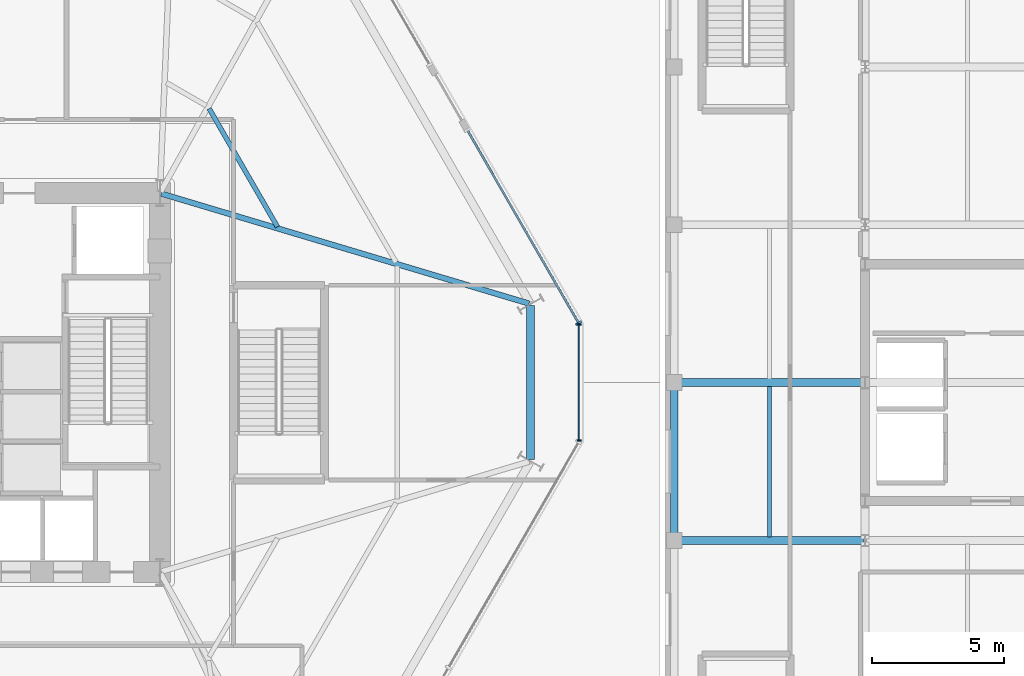
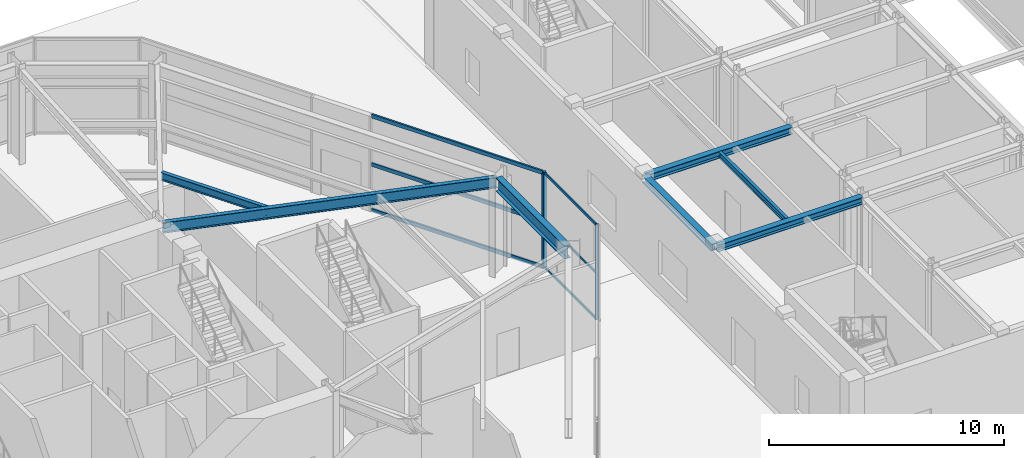
# One storey, part 10 of 26: 9 members, 7 beams, 2 elements without a shape of their own.
"""IFC4 building model written with IfcOpenShell, lengths in metres."""

from ifc_helpers import new_model, si_unit, direction, frame, origin, origin_2d, place, context, subcontext, project, spatial, rectangle, i_section, extrude, material, layer, layer_set, material_profile, profile_set, type_object, element, aggregate, save


model = new_model("IFC4")

# Units and contexts
model_context = context("Model", 3, precision=1e-05, world=origin(), true_north=direction((0.0, 1.0)))
body_context = subcontext(model_context, "Body", "Model", "MODEL_VIEW")
ifc_project = project(units=[si_unit("LENGTHUNIT", "METRE"), si_unit("AREAUNIT", "SQUARE_METRE"), si_unit("VOLUMEUNIT", "CUBIC_METRE"), si_unit("PLANEANGLEUNIT", "RADIAN"), si_unit("MASSUNIT", "GRAM", prefix="KILO")], contexts=[model_context])

# Site, building, storey
site_placement = place(None, origin())
site = spatial("IfcSite", under=ifc_project, at=site_placement, CompositionType="ELEMENT")
building_placement = place(site_placement, origin())
building = spatial("IfcBuilding", under=site, at=building_placement, Name="Kranzbogen Civic Tower", CompositionType="ELEMENT")
storey_placement = place(building_placement, origin())
storey = spatial("IfcBuildingStorey", under=building, at=storey_placement, Name="L00", CompositionType="ELEMENT", Elevation=0.0)

# Curtain wall, members
ifc_material_1 = material(Name="Pale Anodised Aluminium", Category="aluminium")
ifc_layer_1 = layer(ifc_material_1, 0.219970703125, Name="Pale Anodised Aluminium")
ifc_layer_set_1 = layer_set([ifc_layer_1], Name="Pale Anodised Aluminium")
curtain_wall_type_1 = type_object("IfcCurtainWallType", Name="Chamfer Facet Stick Curtain Wall System CW-06", PredefinedType="USERDEFINED", material=ifc_layer_set_1)
curtain_wall_1_placement = place(storey_placement, origin())
curtain_wall_1 = element("IfcCurtainWall", 1, at=curtain_wall_1_placement, inside=storey, type_object=curtain_wall_type_1, Name="L00 curtain wall CW-L00-C6", ObjectType="STICK CURTAIN WALL", PredefinedType="USERDEFINED")
ifc_material_profile_1 = material_profile(ifc_material_1, rectangle(XDim=0.06005859375, YDim=0.159912109375, at=origin_2d()), Name="ALU-M 60x160")
ifc_profile_set_1 = profile_set([ifc_material_profile_1], Name="Pale Anodised Aluminium")
member_type_1 = type_object("IfcMemberType", Name="Curtain Wall Mullion ALU-M 60x160", PredefinedType="MULLION", material=ifc_profile_set_1)
member_1_placement = place(storey_placement, frame((48.73388671875, 22.79296875, 0.0), z_axis=(0.0, 0.0, 1.0), x_axis=(0.0, 1.0, 0.0)))
member_1 = element("IfcMember", 2, at=member_1_placement, type_object=member_type_1, Name="CW-06 mullion 1", PredefinedType="MULLION", context=body_context, shape_type="SweptSolid", body=[
    extrude(rectangle(XDim=0.06005859375, YDim=0.159912109375, at=origin_2d()), origin(), (0.0, 0.0, 1.0), 4.93994140625),
])
member_2_placement = place(storey_placement, frame((48.73388671875, 27.20703125, 0.0), z_axis=(0.0, 0.0, 1.0), x_axis=(0.0, 1.0, 0.0)))
member_2 = element("IfcMember", 3, at=member_2_placement, type_object=member_type_1, Name="CW-06 mullion 2", PredefinedType="MULLION", context=body_context, shape_type="SweptSolid", body=[
    extrude(rectangle(XDim=0.06005859375, YDim=0.159912109375, at=origin_2d()), origin(), (0.0, 0.0, 1.0), 4.93994140625),
])

# Curtain wall, member
ifc_layer_2 = layer(ifc_material_1, 0.219970703125, Name="Pale Anodised Aluminium")
ifc_layer_set_2 = layer_set([ifc_layer_2], Name="Pale Anodised Aluminium")
curtain_wall_type_2 = type_object("IfcCurtainWallType", Name="Podium Stick Curtain Wall System CW-01", PredefinedType="USERDEFINED", material=ifc_layer_set_2)
curtain_wall_2_placement = place(storey_placement, origin())
curtain_wall_2 = element("IfcCurtainWall", 4, at=curtain_wall_2_placement, inside=storey, type_object=curtain_wall_type_2, Name="L00 curtain wall CW-L00-F1-S1", ObjectType="STICK CURTAIN WALL", PredefinedType="USERDEFINED")
ifc_material_profile_2 = material_profile(ifc_material_1, rectangle(XDim=0.0849609375, YDim=0.260009765625, at=origin_2d()), Name="ALU-M 85x260")
ifc_profile_set_2 = profile_set([ifc_material_profile_2], Name="Pale Anodised Aluminium")
member_type_2 = type_object("IfcMemberType", Name="Curtain Wall Mullion ALU-M 85x260", PredefinedType="MULLION", material=ifc_profile_set_2)
member_3_placement = place(storey_placement, frame((48.718994140625, 27.262939453125, 0.0), z_axis=(0.0, 0.0, 1.0), x_axis=(-0.500009985053, 0.866019638835, 0.0)))
member_3 = element("IfcMember", 5, at=member_3_placement, type_object=member_type_2, Name="CW-01 mullion 1", PredefinedType="MULLION", context=body_context, shape_type="SweptSolid", body=[
    extrude(rectangle(XDim=0.0849609375, YDim=0.260009765625, at=origin_2d()), origin(), (0.0, 0.0, 1.0), 4.93994140625),
])

# Member
ifc_material_profile_3 = material_profile(ifc_material_1, rectangle(XDim=0.06005859375, YDim=0.1201171875, at=origin_2d()), Name="ALU-T 60x120")
ifc_profile_set_3 = profile_set([ifc_material_profile_3], Name="Pale Anodised Aluminium")
member_type_3 = type_object("IfcMemberType", Name="Curtain Wall Transom ALU-T 60x120", PredefinedType="USERDEFINED", material=ifc_profile_set_3)
member_4_placement = place(storey_placement, frame((48.73388671875, 22.822998046875, 0.030029296875), z_axis=(0.0, 1.0, 0.0), x_axis=(-1.0, 0.0, 0.0)))
member_4 = element("IfcMember", 6, at=member_4_placement, type_object=member_type_3, Name="CW-06 transom 1.1", ObjectType="TRANSOM", PredefinedType="USERDEFINED", context=body_context, shape_type="SweptSolid", body=[
    extrude(rectangle(XDim=0.06005859375, YDim=0.1201171875, at=origin_2d()), origin(), (0.0, 0.0, 1.0), 4.35400390625),
])

member_5_placement = place(storey_placement, frame((48.73388671875, 22.822998046875, 2.39990234375), z_axis=(0.0, 1.0, 0.0), x_axis=(-1.0, 0.0, 0.0)))
member_5 = element("IfcMember", 7, at=member_5_placement, type_object=member_type_3, Name="CW-06 transom 1.2", ObjectType="TRANSOM", PredefinedType="USERDEFINED", context=body_context, shape_type="SweptSolid", body=[
    extrude(rectangle(XDim=0.06005859375, YDim=0.1201171875, at=origin_2d()), origin(), (0.0, 0.0, 1.0), 4.35400390625),
])

member_6_placement = place(storey_placement, frame((48.73388671875, 22.822998046875, 4.909912109375), z_axis=(0.0, 1.0, 0.0), x_axis=(-1.0, 0.0, 0.0)))
member_6 = element("IfcMember", 8, at=member_6_placement, type_object=member_type_3, Name="CW-06 transom 1.3", ObjectType="TRANSOM", PredefinedType="USERDEFINED", context=body_context, shape_type="SweptSolid", body=[
    extrude(rectangle(XDim=0.06005859375, YDim=0.1201171875, at=origin_2d()), origin(), (0.0, 0.0, 1.0), 4.35400390625),
])

aggregate(curtain_wall_1, [member_1, member_2, member_4, member_5, member_6])

ifc_material_profile_4 = material_profile(ifc_material_1, rectangle(XDim=0.0849609375, YDim=0.195068359375, at=origin_2d()), Name="ALU-T 85x195")
ifc_profile_set_4 = profile_set([ifc_material_profile_4], Name="Pale Anodised Aluminium")
member_type_4 = type_object("IfcMemberType", Name="Curtain Wall Transom ALU-T 85x195", PredefinedType="USERDEFINED", material=ifc_profile_set_4)
member_7_placement = place(storey_placement, frame((48.7041015625, 27.2890625, 0.030029296875), z_axis=(-0.500023168854, 0.866012026827, 0.0), x_axis=(-0.866012026827, -0.500023168854, 0.0)))
member_7 = element("IfcMember", 9, at=member_7_placement, type_object=member_type_4, Name="CW-01 transom 1.1", ObjectType="TRANSOM", PredefinedType="USERDEFINED", context=body_context, shape_type="SweptSolid", body=[
    extrude(rectangle(XDim=0.0849609375, YDim=0.195068359375, at=origin_2d()), origin(), (0.0, 0.0, 1.0), 8.40966796875),
])

member_8_placement = place(storey_placement, frame((48.7041015625, 27.2890625, 2.39990234375), z_axis=(-0.500023168854, 0.866012026827, 0.0), x_axis=(-0.866012026827, -0.500023168854, 0.0)))
member_8 = element("IfcMember", 10, at=member_8_placement, type_object=member_type_4, Name="CW-01 transom 1.2", ObjectType="TRANSOM", PredefinedType="USERDEFINED", context=body_context, shape_type="SweptSolid", body=[
    extrude(rectangle(XDim=0.0849609375, YDim=0.195068359375, at=origin_2d()), origin(), (0.0, 0.0, 1.0), 8.40966796875),
])

member_9_placement = place(storey_placement, frame((48.7041015625, 27.2890625, 4.909912109375), z_axis=(-0.500023168854, 0.866012026827, 0.0), x_axis=(-0.866012026827, -0.500023168854, 0.0)))
member_9 = element("IfcMember", 11, at=member_9_placement, type_object=member_type_4, Name="CW-01 transom 1.3", ObjectType="TRANSOM", PredefinedType="USERDEFINED", context=body_context, shape_type="SweptSolid", body=[
    extrude(rectangle(XDim=0.0849609375, YDim=0.195068359375, at=origin_2d()), origin(), (0.0, 0.0, 1.0), 8.40966796875),
])

aggregate(curtain_wall_2, [member_3, member_7, member_8, member_9])

# Beams
ifc_material_2 = material(Name="Steel S355", Category="steel")
ifc_material_profile_5 = material_profile(ifc_material_2, i_section(OverallWidth=0.300048828125, OverallDepth=0.360107421875, WebThickness=0.012451171875, FlangeThickness=0.0224609375, at=origin_2d()), Name="HEB 360")
ifc_profile_set_5 = profile_set([ifc_material_profile_5], Name="Steel S355")
beam_type_1 = type_object("IfcBeamType", Name="Health Centre Primary Floor Beam HEB 360", PredefinedType="BEAM", material=ifc_profile_set_5)
for number, where, z_axis, x_axis, name in (
    (12, (52.409912109375, 19.0, 4.760009765625), (1.0, 0.0, 0.0), (0.0, 1.0, 0.0), "L00 Health Centre X girder 1-3"),
    (13, (52.409912109375, 25.0, 4.760009765625), (1.0, 0.0, 0.0), (0.0, 1.0, 0.0), "L00 Health Centre X girder 1-4"),
):
    element("IfcBeam", number, at=place(storey_placement, frame(where, z_axis=z_axis, x_axis=x_axis)), inside=storey, type_object=beam_type_1, Name=name, PredefinedType="BEAM", context=body_context, shape_type="SweptSolid", body=[
        extrude(i_section(OverallWidth=0.300048828125, OverallDepth=0.360107421875, WebThickness=0.012451171875, FlangeThickness=0.0224609375, at=origin_2d()), origin(), (0.0, 0.0, 1.0), 7.130126953125),
    ])
beam_1_placement = place(storey_placement, frame((52.35009765625, 19.06005859375, 4.760009765625), z_axis=(0.0, 1.0, 0.0), x_axis=(-1.0, 0.0, 0.0)))
element("IfcBeam", 14, at=beam_1_placement, inside=storey, type_object=beam_type_1, Name="L00 Health Centre Y girder 1-3", PredefinedType="BEAM", context=body_context, shape_type="SweptSolid", body=[
    extrude(i_section(OverallWidth=0.300048828125, OverallDepth=0.360107421875, WebThickness=0.012451171875, FlangeThickness=0.0224609375, at=origin_2d()), origin(), (0.0, 0.0, 1.0), 5.8798828125),
])
ifc_material_profile_6 = material_profile(ifc_material_2, i_section(OverallWidth=0.14990234375, OverallDepth=0.300048828125, WebThickness=0.007080078125, FlangeThickness=0.0107421875, at=origin_2d()), Name="IPE 300")
ifc_profile_set_6 = profile_set([ifc_material_profile_6], Name="Steel S355")
beam_type_2 = type_object("IfcBeamType", Name="Health Centre Secondary Joist IPE 300", PredefinedType="JOIST", material=ifc_profile_set_6)
beam_2_placement = place(storey_placement, frame((55.97509765625, 19.139892578125, 4.7900390625), z_axis=(0.0, 1.0, 0.0), x_axis=(-1.0, 0.0, 0.0)))
element("IfcBeam", 15, at=beam_2_placement, inside=storey, type_object=beam_type_2, Name="L00 Health Centre secondary joist 1-3", PredefinedType="JOIST", context=body_context, shape_type="SweptSolid", body=[
    extrude(i_section(OverallWidth=0.14990234375, OverallDepth=0.300048828125, WebThickness=0.007080078125, FlangeThickness=0.0107421875, at=origin_2d()), origin(), (0.0, 0.0, 1.0), 5.72021484375),
])
ifc_material_profile_7 = material_profile(ifc_material_2, i_section(OverallWidth=0.300048828125, OverallDepth=0.699951171875, WebThickness=0.01708984375, FlangeThickness=0.031982421875, at=origin_2d()), Name="HEB 700")
ifc_profile_set_7 = profile_set([ifc_material_profile_7], Name="Steel S355")
beam_type_3 = type_object("IfcBeamType", Name="Perimeter Tube Spandrel Beam HEB 700", PredefinedType="SPANDREL", material=ifc_profile_set_7)
beam_3_placement = place(storey_placement, frame((46.889892578125, 22.073974609375, 4.590087890625), z_axis=(0.0, 1.0, 0.0), x_axis=(-1.0, 0.0, 0.0)))
element("IfcBeam", 16, at=beam_3_placement, inside=storey, type_object=beam_type_3, Name="L00 perimeter spandrel beam 06", PredefinedType="SPANDREL", context=body_context, shape_type="SweptSolid", body=[
    extrude(i_section(OverallWidth=0.300048828125, OverallDepth=0.699951171875, WebThickness=0.01708984375, FlangeThickness=0.031982421875, at=origin_2d()), origin(), (0.0, 0.0, 1.0), 5.85205078125),
])
ifc_material_profile_8 = material_profile(ifc_material_2, i_section(OverallWidth=0.2099609375, OverallDepth=0.550048828125, WebThickness=0.010986328125, FlangeThickness=0.01708984375, at=origin_2d()), Name="IPE 550")
ifc_profile_set_8 = profile_set([ifc_material_profile_8], Name="Steel S355")
beam_type_4 = type_object("IfcBeamType", Name="Radial Tower Floor Girder IPE 550", PredefinedType="BEAM", material=ifc_profile_set_8)
beam_4_placement = place(storey_placement, frame((46.8330078125, 28.0029296875, 4.6650390625), z_axis=(-0.958064557048, 0.286552446385, 0.0), x_axis=(-0.286552446385, -0.958064557048, 0.0)))
element("IfcBeam", 17, at=beam_4_placement, inside=storey, type_object=beam_type_4, Name="L00 radial floor girder 07", PredefinedType="BEAM", context=body_context, shape_type="SweptSolid", body=[
    extrude(i_section(OverallWidth=0.2099609375, OverallDepth=0.550048828125, WebThickness=0.010986328125, FlangeThickness=0.01708984375, at=origin_2d()), origin(), (0.0, 0.0, 1.0), 14.587890625),
])
ifc_material_profile_9 = material_profile(ifc_material_2, i_section(OverallWidth=0.179931640625, OverallDepth=0.39990234375, WebThickness=0.008544921875, FlangeThickness=0.013427734375, at=origin_2d()), Name="IPE 400")
ifc_profile_set_9 = profile_set([ifc_material_profile_9], Name="Steel S355")
beam_type_5 = type_object("IfcBeamType", Name="Secondary Composite Floor Joist IPE 400", PredefinedType="JOIST", material=ifc_profile_set_9)
beam_5_placement = place(storey_placement, frame((37.26904296875, 30.9208984375, 4.739990234375), z_axis=(-0.500040090343, 0.866002256377, 0.0), x_axis=(-0.866002256377, -0.500040090343, 0.0)))
element("IfcBeam", 18, at=beam_5_placement, inside=storey, type_object=beam_type_5, Name="L00 secondary floor joist 2.07", PredefinedType="JOIST", context=body_context, shape_type="SweptSolid", body=[
    extrude(i_section(OverallWidth=0.179931640625, OverallDepth=0.39990234375, WebThickness=0.008544921875, FlangeThickness=0.013427734375, at=origin_2d()), origin(), (0.0, 0.0, 1.0), 5.189453125),
])

save(model, "model.ifc")
